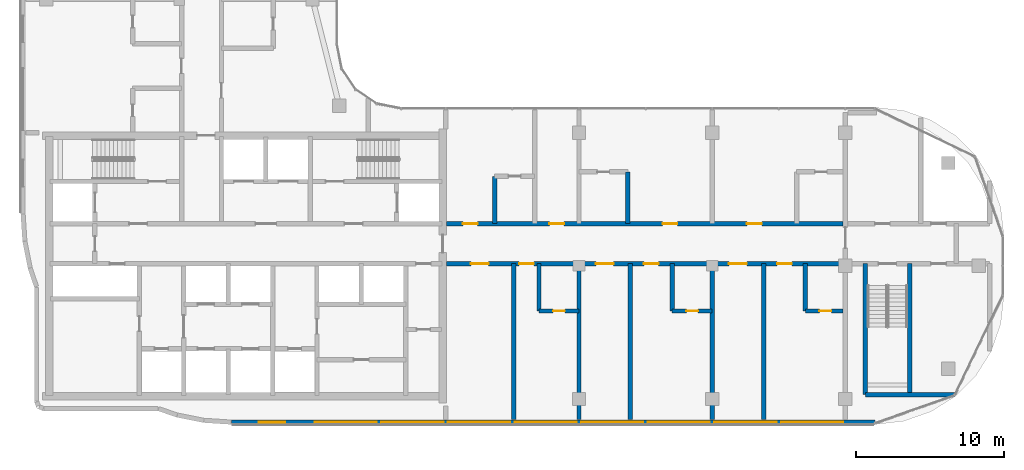
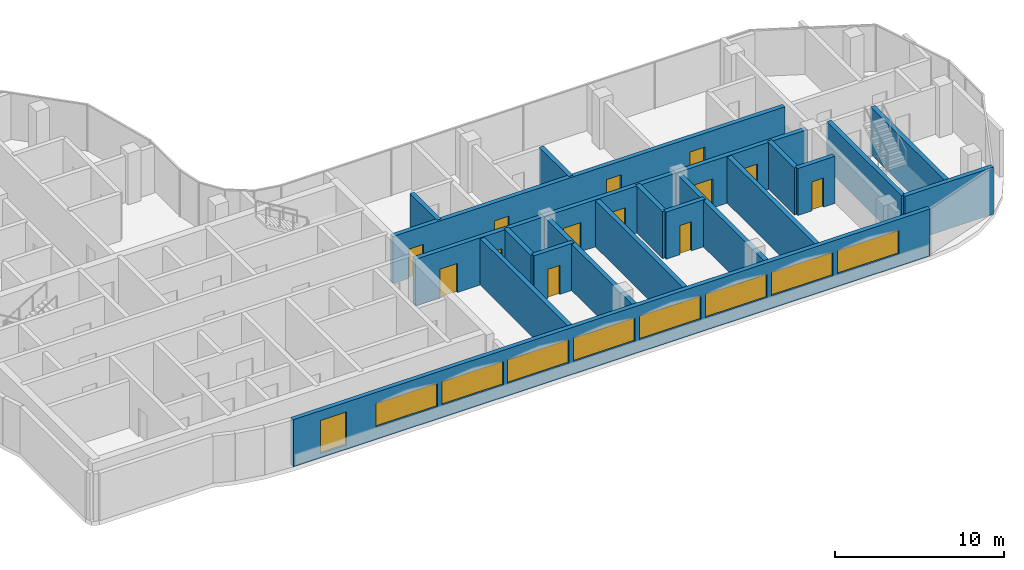
# One storey, part 11 of 19: 19 walls, 13 doors, 9 windows, 22 openings.
"""IFC4 building model written with IfcOpenShell, lengths in metres."""

from ifc_helpers import new_model, si_unit, direction, frame, frame_2d, origin, place, context, subcontext, project, spatial, rectangle, extrude, material, layer, layer_set, type_object, element, fill, save


model = new_model("IFC4")

# Units and contexts
model_context = context("Model", 3, precision=1e-05, world=origin(), true_north=direction((0.0, 1.0)))
body_context = subcontext(model_context, "Body", "Model", "MODEL_VIEW")
ifc_project = project(units=[si_unit("LENGTHUNIT", "METRE"), si_unit("AREAUNIT", "SQUARE_METRE"), si_unit("VOLUMEUNIT", "CUBIC_METRE"), si_unit("PLANEANGLEUNIT", "RADIAN"), si_unit("MASSUNIT", "GRAM", prefix="KILO")], contexts=[model_context])

# Site, building, storey
site_placement = place(None, origin())
site = spatial("IfcSite", under=ifc_project, at=site_placement, CompositionType="ELEMENT")
building_placement = place(site_placement, origin())
building = spatial("IfcBuilding", under=site, at=building_placement, Name="Ogive Portal Towers", CompositionType="ELEMENT")
storey_placement = place(building_placement, frame((0.0, 0.0, 203.199951171875)))
storey = spatial("IfcBuildingStorey", under=building, at=storey_placement, Name="L50", CompositionType="ELEMENT", Elevation=203.199951171875)

# Wall, openings, windows
ifc_material_1 = material(Name="Limestone cladding on lightweight block wall", Category="masonry")
ifc_layer_1 = layer(ifc_material_1, 0.300048828125)
ifc_layer_set_1 = layer_set([ifc_layer_1], Name="EXTERNAL WALL 300 STONE")
wall_type_1 = type_object("IfcWallType", Name="EXTERNAL WALL 300 STONE", PredefinedType="SOLIDWALL", material=ifc_layer_set_1)
wall_1_placement = place(storey_placement, frame((44.009765625, 19.93505859375, 0.0), z_axis=(0.0, 0.0, 1.0), x_axis=(1.0, 0.0, 0.0)))
wall_1 = element("IfcWall", 1, at=wall_1_placement, inside=storey, type_object=wall_type_1, Name="A:L50:f07:r0:wall", PredefinedType="SOLIDWALL", context=body_context, shape_type="SweptSolid", body=[
    extrude(rectangle(XDim=43.4765625, YDim=0.300048828125, at=frame_2d((21.73828125, 0.0))), origin(), (0.0, 0.0, 1.0), 3.400146484375),
])
opening_1_placement = place(wall_1_placement, frame((1.844970703125, 0.0, 0.300048828125)))
opening_1 = element("IfcOpeningElement", 2, at=opening_1_placement, cuts=wall_1, Name="Opening WN10", PredefinedType="OPENING", context=body_context, shape_type="SweptSolid", body=[
    extrude(rectangle(XDim=1.800048828125, YDim=2.39990234375, at=frame_2d((0.89990234375, 1.199951171875))), frame((0.0, 0.16015625, 0.0), z_axis=(0.0, -1.0, 0.0), x_axis=(1.0, 0.0, 0.0)), (0.0, 0.0, 1.0), 0.320068359375),
])
opening_2_placement = place(wall_1_placement, frame((5.64013671875, 0.0, 0.89990234375)))
opening_2 = element("IfcOpeningElement", 3, at=opening_2_placement, cuts=wall_1, Name="Opening WN13", PredefinedType="OPENING", context=body_context, shape_type="SweptSolid", body=[
    extrude(rectangle(XDim=4.199951171875, YDim=1.699951171875, at=frame_2d((2.10009765625, 0.85009765625))), frame((0.0, 0.16015625, 0.0), z_axis=(0.0, -1.0, 0.0), x_axis=(1.0, 0.0, 0.0)), (0.0, 0.0, 1.0), 0.320068359375),
])
opening_3_placement = place(wall_1_placement, frame((10.14013671875, 0.0, 0.89990234375)))
opening_3 = element("IfcOpeningElement", 4, at=opening_3_placement, cuts=wall_1, Name="Opening WN13", PredefinedType="OPENING", context=body_context, shape_type="SweptSolid", body=[
    extrude(rectangle(XDim=4.199951171875, YDim=1.699951171875, at=frame_2d((2.10009765625, 0.85009765625))), frame((0.0, 0.16015625, 0.0), z_axis=(0.0, -1.0, 0.0), x_axis=(1.0, 0.0, 0.0)), (0.0, 0.0, 1.0), 0.320068359375),
])
opening_4_placement = place(wall_1_placement, frame((14.64013671875, 0.0, 0.89990234375)))
opening_4 = element("IfcOpeningElement", 5, at=opening_4_placement, cuts=wall_1, Name="Opening WN13", PredefinedType="OPENING", context=body_context, shape_type="SweptSolid", body=[
    extrude(rectangle(XDim=4.199951171875, YDim=1.699951171875, at=frame_2d((2.10009765625, 0.85009765625))), frame((0.0, 0.16015625, 0.0), z_axis=(0.0, -1.0, 0.0), x_axis=(1.0, 0.0, 0.0)), (0.0, 0.0, 1.0), 0.320068359375),
])
opening_5_placement = place(wall_1_placement, frame((19.14013671875, 0.0, 0.89990234375)))
opening_5 = element("IfcOpeningElement", 6, at=opening_5_placement, cuts=wall_1, Name="Opening WN13", PredefinedType="OPENING", context=body_context, shape_type="SweptSolid", body=[
    extrude(rectangle(XDim=4.199951171875, YDim=1.699951171875, at=frame_2d((2.10009765625, 0.85009765625))), frame((0.0, 0.16015625, 0.0), z_axis=(0.0, -1.0, 0.0), x_axis=(1.0, 0.0, 0.0)), (0.0, 0.0, 1.0), 0.320068359375),
])
opening_6_placement = place(wall_1_placement, frame((23.64013671875, 0.0, 0.89990234375)))
opening_6 = element("IfcOpeningElement", 7, at=opening_6_placement, cuts=wall_1, Name="Opening WN13", PredefinedType="OPENING", context=body_context, shape_type="SweptSolid", body=[
    extrude(rectangle(XDim=4.199951171875, YDim=1.699951171875, at=frame_2d((2.10009765625, 0.85009765625))), frame((0.0, 0.16015625, 0.0), z_axis=(0.0, -1.0, 0.0), x_axis=(1.0, 0.0, 0.0)), (0.0, 0.0, 1.0), 0.320068359375),
])
opening_7_placement = place(wall_1_placement, frame((28.14013671875, 0.0, 0.89990234375)))
opening_7 = element("IfcOpeningElement", 8, at=opening_7_placement, cuts=wall_1, Name="Opening WN13", PredefinedType="OPENING", context=body_context, shape_type="SweptSolid", body=[
    extrude(rectangle(XDim=4.199951171875, YDim=1.699951171875, at=frame_2d((2.10009765625, 0.85009765625))), frame((0.0, 0.16015625, 0.0), z_axis=(0.0, -1.0, 0.0), x_axis=(1.0, 0.0, 0.0)), (0.0, 0.0, 1.0), 0.320068359375),
])
opening_8_placement = place(wall_1_placement, frame((32.64013671875, 0.0, 0.89990234375)))
opening_8 = element("IfcOpeningElement", 9, at=opening_8_placement, cuts=wall_1, Name="Opening WN13", PredefinedType="OPENING", context=body_context, shape_type="SweptSolid", body=[
    extrude(rectangle(XDim=4.199951171875, YDim=1.699951171875, at=frame_2d((2.10009765625, 0.85009765625))), frame((0.0, 0.16015625, 0.0), z_axis=(0.0, -1.0, 0.0), x_axis=(1.0, 0.0, 0.0)), (0.0, 0.0, 1.0), 0.320068359375),
])
opening_9_placement = place(wall_1_placement, frame((37.14013671875, 0.0, 0.89990234375)))
opening_9 = element("IfcOpeningElement", 10, at=opening_9_placement, cuts=wall_1, Name="Opening WN13", PredefinedType="OPENING", context=body_context, shape_type="SweptSolid", body=[
    extrude(rectangle(XDim=4.199951171875, YDim=1.699951171875, at=frame_2d((2.10009765625, 0.85009765625))), frame((0.0, 0.16015625, 0.0), z_axis=(0.0, -1.0, 0.0), x_axis=(1.0, 0.0, 0.0)), (0.0, 0.0, 1.0), 0.320068359375),
])
ifc_material_2 = material(Name="Glass, clear low-iron insulated glazing", Category="glass")
window_type_1 = type_object("IfcWindowType", Name="WINDOW RIBBON LANCET 4200x1700", PartitioningType="TRIPLE_PANEL_VERTICAL", PredefinedType="WINDOW", material=ifc_material_2)
window_1_placement = place(opening_2_placement, origin())
window_1 = element("IfcWindow", 11, at=window_1_placement, inside=storey, type_object=window_type_1, Name="A:L50:f07:r0:w1", OverallHeight=1.699951171875, OverallWidth=4.199951171875, PartitioningType="SINGLE_PANEL", PredefinedType="WINDOW", context=body_context, shape_type="SweptSolid", body=[
    extrude(rectangle(XDim=4.199951171875, YDim=1.699951171875, at=frame_2d((2.10009765625, 0.85009765625))), frame((0.0, 0.030029296875, 0.0), z_axis=(0.0, -1.0, 0.0), x_axis=(1.0, 0.0, 0.0)), (0.0, 0.0, 1.0), 0.06005859375),
])
fill(opening_2, window_1)
window_2_placement = place(opening_3_placement, origin())
window_2 = element("IfcWindow", 12, at=window_2_placement, inside=storey, type_object=window_type_1, Name="A:L50:f07:r0:w2", OverallHeight=1.699951171875, OverallWidth=4.199951171875, PartitioningType="SINGLE_PANEL", PredefinedType="WINDOW", context=body_context, shape_type="SweptSolid", body=[
    extrude(rectangle(XDim=4.199951171875, YDim=1.699951171875, at=frame_2d((2.10009765625, 0.85009765625))), frame((0.0, 0.030029296875, 0.0), z_axis=(0.0, -1.0, 0.0), x_axis=(1.0, 0.0, 0.0)), (0.0, 0.0, 1.0), 0.06005859375),
])
fill(opening_3, window_2)
window_3_placement = place(opening_4_placement, origin())
window_3 = element("IfcWindow", 13, at=window_3_placement, inside=storey, type_object=window_type_1, Name="A:L50:f07:r0:w3", OverallHeight=1.699951171875, OverallWidth=4.199951171875, PartitioningType="SINGLE_PANEL", PredefinedType="WINDOW", context=body_context, shape_type="SweptSolid", body=[
    extrude(rectangle(XDim=4.199951171875, YDim=1.699951171875, at=frame_2d((2.10009765625, 0.85009765625))), frame((0.0, 0.030029296875, 0.0), z_axis=(0.0, -1.0, 0.0), x_axis=(1.0, 0.0, 0.0)), (0.0, 0.0, 1.0), 0.06005859375),
])
fill(opening_4, window_3)
window_4_placement = place(opening_5_placement, origin())
window_4 = element("IfcWindow", 14, at=window_4_placement, inside=storey, type_object=window_type_1, Name="A:L50:f07:r0:w4", OverallHeight=1.699951171875, OverallWidth=4.199951171875, PartitioningType="SINGLE_PANEL", PredefinedType="WINDOW", context=body_context, shape_type="SweptSolid", body=[
    extrude(rectangle(XDim=4.199951171875, YDim=1.699951171875, at=frame_2d((2.10009765625, 0.85009765625))), frame((0.0, 0.030029296875, 0.0), z_axis=(0.0, -1.0, 0.0), x_axis=(1.0, 0.0, 0.0)), (0.0, 0.0, 1.0), 0.06005859375),
])
fill(opening_5, window_4)
window_5_placement = place(opening_6_placement, origin())
window_5 = element("IfcWindow", 15, at=window_5_placement, inside=storey, type_object=window_type_1, Name="A:L50:f07:r0:w5", OverallHeight=1.699951171875, OverallWidth=4.199951171875, PartitioningType="SINGLE_PANEL", PredefinedType="WINDOW", context=body_context, shape_type="SweptSolid", body=[
    extrude(rectangle(XDim=4.199951171875, YDim=1.699951171875, at=frame_2d((2.10009765625, 0.85009765625))), frame((0.0, 0.030029296875, 0.0), z_axis=(0.0, -1.0, 0.0), x_axis=(1.0, 0.0, 0.0)), (0.0, 0.0, 1.0), 0.06005859375),
])
fill(opening_6, window_5)
window_6_placement = place(opening_7_placement, origin())
window_6 = element("IfcWindow", 16, at=window_6_placement, inside=storey, type_object=window_type_1, Name="A:L50:f07:r0:w6", OverallHeight=1.699951171875, OverallWidth=4.199951171875, PartitioningType="SINGLE_PANEL", PredefinedType="WINDOW", context=body_context, shape_type="SweptSolid", body=[
    extrude(rectangle(XDim=4.199951171875, YDim=1.699951171875, at=frame_2d((2.10009765625, 0.85009765625))), frame((0.0, 0.030029296875, 0.0), z_axis=(0.0, -1.0, 0.0), x_axis=(1.0, 0.0, 0.0)), (0.0, 0.0, 1.0), 0.06005859375),
])
fill(opening_7, window_6)
window_7_placement = place(opening_8_placement, origin())
window_7 = element("IfcWindow", 17, at=window_7_placement, inside=storey, type_object=window_type_1, Name="A:L50:f07:r0:w7", OverallHeight=1.699951171875, OverallWidth=4.199951171875, PartitioningType="SINGLE_PANEL", PredefinedType="WINDOW", context=body_context, shape_type="SweptSolid", body=[
    extrude(rectangle(XDim=4.199951171875, YDim=1.699951171875, at=frame_2d((2.10009765625, 0.85009765625))), frame((0.0, 0.030029296875, 0.0), z_axis=(0.0, -1.0, 0.0), x_axis=(1.0, 0.0, 0.0)), (0.0, 0.0, 1.0), 0.06005859375),
])
fill(opening_8, window_7)
window_8_placement = place(opening_9_placement, origin())
window_8 = element("IfcWindow", 18, at=window_8_placement, inside=storey, type_object=window_type_1, Name="A:L50:f07:r0:w8", OverallHeight=1.699951171875, OverallWidth=4.199951171875, PartitioningType="SINGLE_PANEL", PredefinedType="WINDOW", context=body_context, shape_type="SweptSolid", body=[
    extrude(rectangle(XDim=4.199951171875, YDim=1.699951171875, at=frame_2d((2.10009765625, 0.85009765625))), frame((0.0, 0.030029296875, 0.0), z_axis=(0.0, -1.0, 0.0), x_axis=(1.0, 0.0, 0.0)), (0.0, 0.0, 1.0), 0.06005859375),
])
fill(opening_9, window_8)
window_type_2 = type_object("IfcWindowType", Name="WINDOW SUITE CORNER 1800x2400", PartitioningType="DOUBLE_PANEL_VERTICAL", PredefinedType="WINDOW", material=ifc_material_2)
window_9_placement = place(opening_1_placement, origin())
window_9 = element("IfcWindow", 19, at=window_9_placement, inside=storey, type_object=window_type_2, Name="A:L50:f07:r0:w0", OverallHeight=2.39990234375, OverallWidth=1.800048828125, PartitioningType="SINGLE_PANEL", PredefinedType="WINDOW", context=body_context, shape_type="SweptSolid", body=[
    extrude(rectangle(XDim=1.800048828125, YDim=2.39990234375, at=frame_2d((0.89990234375, 1.199951171875))), frame((0.0, 0.030029296875, 0.0), z_axis=(0.0, -1.0, 0.0), x_axis=(1.0, 0.0, 0.0)), (0.0, 0.0, 1.0), 0.06005859375),
])
fill(opening_1, window_9)

# Walls
ifc_material_3 = material(Name="Concrete C50/60", Category="concrete")
ifc_layer_2 = layer(ifc_material_3, 0.300048828125)
ifc_layer_set_2 = layer_set([ifc_layer_2], Name="STAIR WALL 300 C50")
wall_type_2 = type_object("IfcWallType", Name="STAIR WALL 300 C50", PredefinedType="SHEAR", material=ifc_layer_set_2)
wall_2_placement = place(storey_placement, frame((86.85009765625, 21.800048828125, 0.0), z_axis=(0.0, 0.0, 1.0), x_axis=(1.0, 0.0, 0.0)))
element("IfcWall", 20, at=wall_2_placement, inside=storey, type_object=wall_type_2, Name="Stair wall ST-A4 L50", PredefinedType="SHEAR", context=body_context, shape_type="SweptSolid", body=[
    extrude(rectangle(XDim=6.0458984375, YDim=0.300048828125, at=frame_2d((3.02294921875, 0.0))), origin(), (0.0, 0.0, 1.0), 3.400146484375),
])
for number, where, z_axis, x_axis, name in (
    (21, (86.85009765625, 21.800048828125, 0.0), (0.0, 0.0, 1.0), (0.0, 1.0, 0.0), "Stair wall ST-A4 L50"),
    (22, (89.85009765625, 21.800048828125, 0.0), (0.0, 0.0, 1.0), (0.0, 1.0, 0.0), "Stair wall ST-A4 L50"),
):
    element("IfcWall", number, at=place(storey_placement, frame(where, z_axis=z_axis, x_axis=x_axis)), inside=storey, type_object=wall_type_2, Name=name, PredefinedType="SHEAR", context=body_context, shape_type="SweptSolid", body=[
        extrude(rectangle(XDim=8.849853515625, YDim=0.300048828125, at=frame_2d((4.4248046875, 0.0))), origin(), (0.0, 0.0, 1.0), 3.400146484375),
    ])

# Wall, openings, doors
ifc_material_4 = material(Name="Gypsum board partition on steel studs", Category="steel")
ifc_layer_3 = layer(ifc_material_4, 0.300048828125)
ifc_layer_set_3 = layer_set([ifc_layer_3], Name="WT-PART-300-EI 120")
wall_type_3 = type_object("IfcWallType", Name="WT-PART-300-EI 120", PredefinedType="PARTITIONING", material=ifc_layer_set_3)
wall_3_placement = place(storey_placement, frame((58.550048828125, 30.64990234375, 0.0), z_axis=(0.0, 0.0, 1.0), x_axis=(1.0, 0.0, 0.0)))
wall_3 = element("IfcWall", 23, at=wall_3_placement, inside=storey, type_object=wall_type_3, Name="Wall L50:w005", PredefinedType="PARTITIONING", context=body_context, shape_type="SweptSolid", body=[
    extrude(rectangle(XDim=26.780029296875, YDim=0.300048828125, at=frame_2d((13.39013671875, 0.0))), origin(), (0.0, 0.0, 1.0), 3.400146484375),
])
opening_10_placement = place(wall_3_placement, frame((1.64990234375, 0.0, 0.0)))
opening_10 = element("IfcOpeningElement", 24, at=opening_10_placement, cuts=wall_3, Name="Opening D22-029", PredefinedType="OPENING", context=body_context, shape_type="SweptSolid", body=[
    extrude(rectangle(XDim=1.199951171875, YDim=2.10009765625, at=frame_2d((0.60009765625, 1.050048828125))), frame((0.0, 0.16015625, 0.0), z_axis=(0.0, -1.0, 0.0), x_axis=(1.0, 0.0, 0.0)), (0.0, 0.0, 1.0), 0.320068359375),
])
opening_11_placement = place(wall_3_placement, frame((4.89990234375, 0.0, 0.0)))
opening_11 = element("IfcOpeningElement", 25, at=opening_11_placement, cuts=wall_3, Name="Opening D22-031", PredefinedType="OPENING", context=body_context, shape_type="SweptSolid", body=[
    extrude(rectangle(XDim=1.0, YDim=2.10009765625, at=frame_2d((0.5, 1.050048828125))), frame((0.0, 0.16015625, 0.0), z_axis=(0.0, -1.0, 0.0), x_axis=(1.0, 0.0, 0.0)), (0.0, 0.0, 1.0), 0.320068359375),
])
opening_12_placement = place(wall_3_placement, frame((10.0849609375, 0.0, 0.0)))
opening_12 = element("IfcOpeningElement", 26, at=opening_12_placement, cuts=wall_3, Name="Opening D22-034", PredefinedType="OPENING", context=body_context, shape_type="SweptSolid", body=[
    extrude(rectangle(XDim=1.199951171875, YDim=2.10009765625, at=frame_2d((0.60009765625, 1.050048828125))), frame((0.0, 0.16015625, 0.0), z_axis=(0.0, -1.0, 0.0), x_axis=(1.0, 0.0, 0.0)), (0.0, 0.0, 1.0), 0.320068359375),
])
opening_13_placement = place(wall_3_placement, frame((13.3349609375, 0.0, 0.0)))
opening_13 = element("IfcOpeningElement", 27, at=opening_13_placement, cuts=wall_3, Name="Opening D22-036", PredefinedType="OPENING", context=body_context, shape_type="SweptSolid", body=[
    extrude(rectangle(XDim=1.0, YDim=2.10009765625, at=frame_2d((0.5, 1.050048828125))), frame((0.0, 0.16015625, 0.0), z_axis=(0.0, -1.0, 0.0), x_axis=(1.0, 0.0, 0.0)), (0.0, 0.0, 1.0), 0.320068359375),
])
opening_14_placement = place(wall_3_placement, frame((19.0849609375, 0.0, 0.0)))
opening_14 = element("IfcOpeningElement", 28, at=opening_14_placement, cuts=wall_3, Name="Opening D22-039", PredefinedType="OPENING", context=body_context, shape_type="SweptSolid", body=[
    extrude(rectangle(XDim=1.199951171875, YDim=2.10009765625, at=frame_2d((0.60009765625, 1.050048828125))), frame((0.0, 0.16015625, 0.0), z_axis=(0.0, -1.0, 0.0), x_axis=(1.0, 0.0, 0.0)), (0.0, 0.0, 1.0), 0.320068359375),
])
opening_15_placement = place(wall_3_placement, frame((22.3349609375, 0.0, 0.0)))
opening_15 = element("IfcOpeningElement", 29, at=opening_15_placement, cuts=wall_3, Name="Opening D22-041", PredefinedType="OPENING", context=body_context, shape_type="SweptSolid", body=[
    extrude(rectangle(XDim=1.0, YDim=2.10009765625, at=frame_2d((0.5, 1.050048828125))), frame((0.0, 0.16015625, 0.0), z_axis=(0.0, -1.0, 0.0), x_axis=(1.0, 0.0, 0.0)), (0.0, 0.0, 1.0), 0.320068359375),
])
ifc_material_5 = material(Name="Steel fire door", Category="steel")
door_type_1 = type_object("IfcDoorType", Name="DT-ENTRY-1000x2100-FD90S", OperationType="SINGLE_SWING_LEFT", PredefinedType="DOOR", material=ifc_material_5)
door_1_placement = place(opening_11_placement, origin())
door_1 = element("IfcDoor", 30, at=door_1_placement, inside=storey, type_object=door_type_1, Name="Door D22-031", OperationType="SINGLE_SWING_LEFT", OverallHeight=2.10009765625, OverallWidth=1.0, PredefinedType="DOOR", context=body_context, shape_type="SweptSolid", body=[
    extrude(rectangle(XDim=1.0, YDim=2.10009765625, at=frame_2d((0.5, 1.050048828125))), frame((0.0, 0.02490234375, 0.0), z_axis=(0.0, -1.0, 0.0), x_axis=(1.0, 0.0, 0.0)), (0.0, 0.0, 1.0), 0.050048828125),
])
fill(opening_11, door_1)
door_2_placement = place(opening_13_placement, origin())
door_2 = element("IfcDoor", 31, at=door_2_placement, inside=storey, type_object=door_type_1, Name="Door D22-036", OperationType="SINGLE_SWING_LEFT", OverallHeight=2.10009765625, OverallWidth=1.0, PredefinedType="DOOR", context=body_context, shape_type="SweptSolid", body=[
    extrude(rectangle(XDim=1.0, YDim=2.10009765625, at=frame_2d((0.5, 1.050048828125))), frame((0.0, 0.02490234375, 0.0), z_axis=(0.0, -1.0, 0.0), x_axis=(1.0, 0.0, 0.0)), (0.0, 0.0, 1.0), 0.050048828125),
])
fill(opening_13, door_2)
door_3_placement = place(opening_15_placement, origin())
door_3 = element("IfcDoor", 32, at=door_3_placement, inside=storey, type_object=door_type_1, Name="Door D22-041", OperationType="SINGLE_SWING_RIGHT", OverallHeight=2.10009765625, OverallWidth=1.0, PredefinedType="DOOR", context=body_context, shape_type="SweptSolid", body=[
    extrude(rectangle(XDim=1.0, YDim=2.10009765625, at=frame_2d((0.5, 1.050048828125))), frame((0.0, 0.02490234375, 0.0), z_axis=(0.0, -1.0, 0.0), x_axis=(1.0, 0.0, 0.0)), (0.0, 0.0, 1.0), 0.050048828125),
])
fill(opening_15, door_3)
door_type_2 = type_object("IfcDoorType", Name="DT-ENTRY-1200x2100-FD90S", OperationType="SINGLE_SWING_LEFT", PredefinedType="DOOR", material=ifc_material_5)
door_4_placement = place(opening_10_placement, origin())
door_4 = element("IfcDoor", 33, at=door_4_placement, inside=storey, type_object=door_type_2, Name="Door D22-029", OperationType="SINGLE_SWING_LEFT", OverallHeight=2.10009765625, OverallWidth=1.199951171875, PredefinedType="DOOR", context=body_context, shape_type="SweptSolid", body=[
    extrude(rectangle(XDim=1.199951171875, YDim=2.10009765625, at=frame_2d((0.60009765625, 1.050048828125))), frame((0.0, 0.02490234375, 0.0), z_axis=(0.0, -1.0, 0.0), x_axis=(1.0, 0.0, 0.0)), (0.0, 0.0, 1.0), 0.050048828125),
])
fill(opening_10, door_4)
door_5_placement = place(opening_12_placement, origin())
door_5 = element("IfcDoor", 34, at=door_5_placement, inside=storey, type_object=door_type_2, Name="Door D22-034", OperationType="SINGLE_SWING_RIGHT", OverallHeight=2.10009765625, OverallWidth=1.199951171875, PredefinedType="DOOR", context=body_context, shape_type="SweptSolid", body=[
    extrude(rectangle(XDim=1.199951171875, YDim=2.10009765625, at=frame_2d((0.60009765625, 1.050048828125))), frame((0.0, 0.02490234375, 0.0), z_axis=(0.0, -1.0, 0.0), x_axis=(1.0, 0.0, 0.0)), (0.0, 0.0, 1.0), 0.050048828125),
])
fill(opening_12, door_5)
door_6_placement = place(opening_14_placement, origin())
door_6 = element("IfcDoor", 35, at=door_6_placement, inside=storey, type_object=door_type_2, Name="Door D22-039", OperationType="SINGLE_SWING_LEFT", OverallHeight=2.10009765625, OverallWidth=1.199951171875, PredefinedType="DOOR", context=body_context, shape_type="SweptSolid", body=[
    extrude(rectangle(XDim=1.199951171875, YDim=2.10009765625, at=frame_2d((0.60009765625, 1.050048828125))), frame((0.0, 0.02490234375, 0.0), z_axis=(0.0, -1.0, 0.0), x_axis=(1.0, 0.0, 0.0)), (0.0, 0.0, 1.0), 0.050048828125),
])
fill(opening_14, door_6)

wall_4_placement = place(storey_placement, frame((58.550048828125, 33.35009765625, 0.0), z_axis=(0.0, 0.0, 1.0), x_axis=(1.0, 0.0, 0.0)))
wall_4 = element("IfcWall", 36, at=wall_4_placement, inside=storey, type_object=wall_type_3, Name="Wall L50:w007", PredefinedType="PARTITIONING", context=body_context, shape_type="SweptSolid", body=[
    extrude(rectangle(XDim=26.780029296875, YDim=0.300048828125, at=frame_2d((13.39013671875, 0.0))), origin(), (0.0, 0.0, 1.0), 3.400146484375),
])
opening_16_placement = place(wall_4_placement, frame((1.10009765625, 0.0, 0.0)))
opening_16 = element("IfcOpeningElement", 37, at=opening_16_placement, cuts=wall_4, Name="Opening D22-027", PredefinedType="OPENING", context=body_context, shape_type="SweptSolid", body=[
    extrude(rectangle(XDim=1.0, YDim=2.10009765625, at=frame_2d((0.5, 1.050048828125))), frame((0.0, 0.16015625, 0.0), z_axis=(0.0, -1.0, 0.0), x_axis=(1.0, 0.0, 0.0)), (0.0, 0.0, 1.0), 0.320068359375),
])
opening_17_placement = place(wall_4_placement, frame((6.949951171875, 0.0, 0.0)))
opening_17 = element("IfcOpeningElement", 38, at=opening_17_placement, cuts=wall_4, Name="Opening D22-028", PredefinedType="OPENING", context=body_context, shape_type="SweptSolid", body=[
    extrude(rectangle(XDim=1.0, YDim=2.10009765625, at=frame_2d((0.5, 1.050048828125))), frame((0.0, 0.16015625, 0.0), z_axis=(0.0, -1.0, 0.0), x_axis=(1.0, 0.0, 0.0)), (0.0, 0.0, 1.0), 0.320068359375),
])
opening_18_placement = place(wall_4_placement, frame((14.60009765625, 0.0, 0.0)))
opening_18 = element("IfcOpeningElement", 39, at=opening_18_placement, cuts=wall_4, Name="Opening D22-033", PredefinedType="OPENING", context=body_context, shape_type="SweptSolid", body=[
    extrude(rectangle(XDim=1.0, YDim=2.39990234375, at=frame_2d((0.5, 1.199951171875))), frame((0.0, 0.16015625, 0.0), z_axis=(0.0, -1.0, 0.0), x_axis=(1.0, 0.0, 0.0)), (0.0, 0.0, 1.0), 0.320068359375),
])
opening_19_placement = place(wall_4_placement, frame((20.300048828125, 0.0, 0.0)))
opening_19 = element("IfcOpeningElement", 40, at=opening_19_placement, cuts=wall_4, Name="Opening D22-038", PredefinedType="OPENING", context=body_context, shape_type="SweptSolid", body=[
    extrude(rectangle(XDim=1.0, YDim=2.39990234375, at=frame_2d((0.5, 1.199951171875))), frame((0.0, 0.16015625, 0.0), z_axis=(0.0, -1.0, 0.0), x_axis=(1.0, 0.0, 0.0)), (0.0, 0.0, 1.0), 0.320068359375),
])
door_7_placement = place(opening_16_placement, origin())
door_7 = element("IfcDoor", 41, at=door_7_placement, inside=storey, type_object=door_type_1, Name="Door D22-027", OperationType="SINGLE_SWING_LEFT", OverallHeight=2.10009765625, OverallWidth=1.0, PredefinedType="DOOR", context=body_context, shape_type="SweptSolid", body=[
    extrude(rectangle(XDim=1.0, YDim=2.10009765625, at=frame_2d((0.5, 1.050048828125))), frame((0.0, 0.02490234375, 0.0), z_axis=(0.0, -1.0, 0.0), x_axis=(1.0, 0.0, 0.0)), (0.0, 0.0, 1.0), 0.050048828125),
])
fill(opening_16, door_7)
door_8_placement = place(opening_17_placement, origin())
door_8 = element("IfcDoor", 42, at=door_8_placement, inside=storey, type_object=door_type_1, Name="Door D22-028", OperationType="SINGLE_SWING_RIGHT", OverallHeight=2.10009765625, OverallWidth=1.0, PredefinedType="DOOR", context=body_context, shape_type="SweptSolid", body=[
    extrude(rectangle(XDim=1.0, YDim=2.10009765625, at=frame_2d((0.5, 1.050048828125))), frame((0.0, 0.02490234375, 0.0), z_axis=(0.0, -1.0, 0.0), x_axis=(1.0, 0.0, 0.0)), (0.0, 0.0, 1.0), 0.050048828125),
])
fill(opening_17, door_8)
door_type_3 = type_object("IfcDoorType", Name="DT-ENTRY-1000x2400-FD90S", OperationType="SINGLE_SWING_LEFT", PredefinedType="DOOR", material=ifc_material_5)
door_9_placement = place(opening_18_placement, origin())
door_9 = element("IfcDoor", 43, at=door_9_placement, inside=storey, type_object=door_type_3, Name="Door D22-033", OperationType="SINGLE_SWING_LEFT", OverallHeight=2.39990234375, OverallWidth=1.0, PredefinedType="DOOR", context=body_context, shape_type="SweptSolid", body=[
    extrude(rectangle(XDim=1.0, YDim=2.39990234375, at=frame_2d((0.5, 1.199951171875))), frame((0.0, 0.02490234375, 0.0), z_axis=(0.0, -1.0, 0.0), x_axis=(1.0, 0.0, 0.0)), (0.0, 0.0, 1.0), 0.050048828125),
])
fill(opening_18, door_9)
door_10_placement = place(opening_19_placement, origin())
door_10 = element("IfcDoor", 44, at=door_10_placement, inside=storey, type_object=door_type_3, Name="Door D22-038", OperationType="SINGLE_SWING_RIGHT", OverallHeight=2.39990234375, OverallWidth=1.0, PredefinedType="DOOR", context=body_context, shape_type="SweptSolid", body=[
    extrude(rectangle(XDim=1.0, YDim=2.39990234375, at=frame_2d((0.5, 1.199951171875))), frame((0.0, 0.02490234375, 0.0), z_axis=(0.0, -1.0, 0.0), x_axis=(1.0, 0.0, 0.0)), (0.0, 0.0, 1.0), 0.050048828125),
])
fill(opening_19, door_10)

# Wall, opening, door
ifc_layer_4 = layer(ifc_material_4, 0.300048828125)
ifc_layer_set_4 = layer_set([ifc_layer_4], Name="WT-PART-300-EI 60")
wall_type_4 = type_object("IfcWallType", Name="WT-PART-300-EI 60", PredefinedType="PARTITIONING", material=ifc_layer_set_4)
wall_5_placement = place(storey_placement, frame((64.800048828125, 27.449951171875, 0.0), z_axis=(0.0, 0.0, 1.0), x_axis=(1.0, 0.0, 0.0)))
wall_5 = element("IfcWall", 45, at=wall_5_placement, inside=storey, type_object=wall_type_4, Name="Wall L50:w002", PredefinedType="PARTITIONING", context=body_context, shape_type="SweptSolid", body=[
    extrude(rectangle(XDim=2.699951171875, YDim=0.300048828125, at=frame_2d((1.35009765625, 0.0))), origin(), (0.0, 0.0, 1.0), 3.400146484375),
])
opening_20_placement = place(wall_5_placement, frame((0.949951171875, 0.0, 0.0)))
opening_20 = element("IfcOpeningElement", 46, at=opening_20_placement, cuts=wall_5, Name="Opening D22-030", PredefinedType="OPENING", context=body_context, shape_type="SweptSolid", body=[
    extrude(rectangle(XDim=0.800048828125, YDim=2.10009765625, at=frame_2d((0.39990234375, 1.050048828125))), frame((0.0, 0.16015625, 0.0), z_axis=(0.0, -1.0, 0.0), x_axis=(1.0, 0.0, 0.0)), (0.0, 0.0, 1.0), 0.320068359375),
])
door_type_4 = type_object("IfcDoorType", Name="DT-BATH-800x2100-FD60S", OperationType="SINGLE_SWING_LEFT", PredefinedType="DOOR", material=ifc_material_5)
door_11_placement = place(opening_20_placement, origin())
door_11 = element("IfcDoor", 47, at=door_11_placement, inside=storey, type_object=door_type_4, Name="Door D22-030", OperationType="SINGLE_SWING_RIGHT", OverallHeight=2.10009765625, OverallWidth=0.800048828125, PredefinedType="DOOR", context=body_context, shape_type="SweptSolid", body=[
    extrude(rectangle(XDim=0.800048828125, YDim=2.10009765625, at=frame_2d((0.39990234375, 1.050048828125))), frame((0.0, 0.02490234375, 0.0), z_axis=(0.0, -1.0, 0.0), x_axis=(1.0, 0.0, 0.0)), (0.0, 0.0, 1.0), 0.050048828125),
])
fill(opening_20, door_11)

wall_6_placement = place(storey_placement, frame((73.800048828125, 27.449951171875, 0.0), z_axis=(0.0, 0.0, 1.0), x_axis=(1.0, 0.0, 0.0)))
wall_6 = element("IfcWall", 48, at=wall_6_placement, inside=storey, type_object=wall_type_4, Name="Wall L50:w003", PredefinedType="PARTITIONING", context=body_context, shape_type="SweptSolid", body=[
    extrude(rectangle(XDim=2.699951171875, YDim=0.300048828125, at=frame_2d((1.35009765625, 0.0))), origin(), (0.0, 0.0, 1.0), 3.400146484375),
])
opening_21_placement = place(wall_6_placement, frame((0.949951171875, 0.0, 0.0)))
opening_21 = element("IfcOpeningElement", 49, at=opening_21_placement, cuts=wall_6, Name="Opening D22-035", PredefinedType="OPENING", context=body_context, shape_type="SweptSolid", body=[
    extrude(rectangle(XDim=0.800048828125, YDim=2.10009765625, at=frame_2d((0.39990234375, 1.050048828125))), frame((0.0, 0.16015625, 0.0), z_axis=(0.0, -1.0, 0.0), x_axis=(1.0, 0.0, 0.0)), (0.0, 0.0, 1.0), 0.320068359375),
])
door_12_placement = place(opening_21_placement, origin())
door_12 = element("IfcDoor", 50, at=door_12_placement, inside=storey, type_object=door_type_4, Name="Door D22-035", OperationType="SINGLE_SWING_LEFT", OverallHeight=2.10009765625, OverallWidth=0.800048828125, PredefinedType="DOOR", context=body_context, shape_type="SweptSolid", body=[
    extrude(rectangle(XDim=0.800048828125, YDim=2.10009765625, at=frame_2d((0.39990234375, 1.050048828125))), frame((0.0, 0.02490234375, 0.0), z_axis=(0.0, -1.0, 0.0), x_axis=(1.0, 0.0, 0.0)), (0.0, 0.0, 1.0), 0.050048828125),
])
fill(opening_21, door_12)

wall_7_placement = place(storey_placement, frame((82.800048828125, 27.449951171875, 0.0), z_axis=(0.0, 0.0, 1.0), x_axis=(1.0, 0.0, 0.0)))
wall_7 = element("IfcWall", 51, at=wall_7_placement, inside=storey, type_object=wall_type_4, Name="Wall L50:w004", PredefinedType="PARTITIONING", context=body_context, shape_type="SweptSolid", body=[
    extrude(rectangle(XDim=2.530029296875, YDim=0.300048828125, at=frame_2d((1.26513671875, 0.0))), origin(), (0.0, 0.0, 1.0), 3.400146484375),
])
opening_22_placement = place(wall_7_placement, frame((0.949951171875, 0.0, 0.0)))
opening_22 = element("IfcOpeningElement", 52, at=opening_22_placement, cuts=wall_7, Name="Opening D22-040", PredefinedType="OPENING", context=body_context, shape_type="SweptSolid", body=[
    extrude(rectangle(XDim=0.800048828125, YDim=2.10009765625, at=frame_2d((0.39990234375, 1.050048828125))), frame((0.0, 0.16015625, 0.0), z_axis=(0.0, -1.0, 0.0), x_axis=(1.0, 0.0, 0.0)), (0.0, 0.0, 1.0), 0.320068359375),
])
door_13_placement = place(opening_22_placement, origin())
door_13 = element("IfcDoor", 53, at=door_13_placement, inside=storey, type_object=door_type_4, Name="Door D22-040", OperationType="SINGLE_SWING_LEFT", OverallHeight=2.10009765625, OverallWidth=0.800048828125, PredefinedType="DOOR", context=body_context, shape_type="SweptSolid", body=[
    extrude(rectangle(XDim=0.800048828125, YDim=2.10009765625, at=frame_2d((0.39990234375, 1.050048828125))), frame((0.0, 0.02490234375, 0.0), z_axis=(0.0, -1.0, 0.0), x_axis=(1.0, 0.0, 0.0)), (0.0, 0.0, 1.0), 0.050048828125),
])
fill(opening_22, door_13)

# Walls
wall_8_placement = place(storey_placement, frame((61.800048828125, 33.35009765625, 0.0), z_axis=(0.0, 0.0, 1.0), x_axis=(0.0, 1.0, 0.0)))
element("IfcWall", 54, at=wall_8_placement, inside=storey, type_object=wall_type_4, Name="Wall L50:w036", PredefinedType="PARTITIONING", context=body_context, shape_type="SweptSolid", body=[
    extrude(rectangle(XDim=3.199951171875, YDim=0.300048828125, at=frame_2d((1.60009765625, 0.0))), origin(), (0.0, 0.0, 1.0), 3.400146484375),
])
wall_9_placement = place(storey_placement, frame((63.10009765625, 20.135009765625, 0.0), z_axis=(0.0, 0.0, 1.0), x_axis=(0.0, 1.0, 0.0)))
element("IfcWall", 55, at=wall_9_placement, inside=storey, type_object=wall_type_4, Name="Wall L50:w037", PredefinedType="PARTITIONING", context=body_context, shape_type="SweptSolid", body=[
    extrude(rectangle(XDim=10.514892578125, YDim=0.300048828125, at=frame_2d((5.25732421875, 0.0))), origin(), (0.0, 0.0, 1.0), 3.35009765625),
])
wall_10_placement = place(storey_placement, frame((64.800048828125, 27.449951171875, 0.0), z_axis=(0.0, 0.0, 1.0), x_axis=(0.0, 1.0, 0.0)))
element("IfcWall", 56, at=wall_10_placement, inside=storey, type_object=wall_type_4, Name="Wall L50:w039", PredefinedType="PARTITIONING", context=body_context, shape_type="SweptSolid", body=[
    extrude(rectangle(XDim=3.199951171875, YDim=0.300048828125, at=frame_2d((1.60009765625, 0.0))), origin(), (0.0, 0.0, 1.0), 3.400146484375),
])
wall_11_placement = place(storey_placement, frame((67.5, 20.135009765625, 0.0), z_axis=(0.0, 0.0, 1.0), x_axis=(0.0, 1.0, 0.0)))
element("IfcWall", 57, at=wall_11_placement, inside=storey, type_object=wall_type_4, Name="Wall L50:w040", PredefinedType="PARTITIONING", context=body_context, shape_type="SweptSolid", body=[
    extrude(rectangle(XDim=10.514892578125, YDim=0.300048828125, at=frame_2d((5.25732421875, 0.0))), origin(), (0.0, 0.0, 1.0), 3.35009765625),
])
wall_12_placement = place(storey_placement, frame((70.800048828125, 33.35009765625, 0.0), z_axis=(0.0, 0.0, 1.0), x_axis=(0.0, 1.0, 0.0)))
element("IfcWall", 58, at=wall_12_placement, inside=storey, type_object=wall_type_4, Name="Wall L50:w042", PredefinedType="PARTITIONING", context=body_context, shape_type="SweptSolid", body=[
    extrude(rectangle(XDim=3.5, YDim=0.300048828125, at=frame_2d((1.75, 0.0))), origin(), (0.0, 0.0, 1.0), 3.400146484375),
])
wall_13_placement = place(storey_placement, frame((70.969970703125, 20.135009765625, 0.0), z_axis=(0.0, 0.0, 1.0), x_axis=(0.0, 1.0, 0.0)))
element("IfcWall", 59, at=wall_13_placement, inside=storey, type_object=wall_type_4, Name="Wall L50:w043", PredefinedType="PARTITIONING", context=body_context, shape_type="SweptSolid", body=[
    extrude(rectangle(XDim=10.514892578125, YDim=0.300048828125, at=frame_2d((5.25732421875, 0.0))), origin(), (0.0, 0.0, 1.0), 3.35009765625),
])
wall_14_placement = place(storey_placement, frame((73.800048828125, 27.449951171875, 0.0), z_axis=(0.0, 0.0, 1.0), x_axis=(0.0, 1.0, 0.0)))
element("IfcWall", 60, at=wall_14_placement, inside=storey, type_object=wall_type_4, Name="Wall L50:w044", PredefinedType="PARTITIONING", context=body_context, shape_type="SweptSolid", body=[
    extrude(rectangle(XDim=3.199951171875, YDim=0.300048828125, at=frame_2d((1.60009765625, 0.0))), origin(), (0.0, 0.0, 1.0), 3.400146484375),
])
for number, where, z_axis, x_axis, name in (
    (61, (76.5, 20.135009765625, 0.0), (0.0, 0.0, 1.0), (0.0, 1.0, 0.0), "Wall L50:w045"),
    (62, (79.969970703125, 20.135009765625, 0.0), (0.0, 0.0, 1.0), (0.0, 1.0, 0.0), "Wall L50:w047"),
):
    element("IfcWall", number, at=place(storey_placement, frame(where, z_axis=z_axis, x_axis=x_axis)), inside=storey, type_object=wall_type_4, Name=name, PredefinedType="PARTITIONING", context=body_context, shape_type="SweptSolid", body=[
        extrude(rectangle(XDim=10.514892578125, YDim=0.300048828125, at=frame_2d((5.25732421875, 0.0))), origin(), (0.0, 0.0, 1.0), 3.35009765625),
    ])
wall_15_placement = place(storey_placement, frame((82.800048828125, 27.449951171875, 0.0), z_axis=(0.0, 0.0, 1.0), x_axis=(0.0, 1.0, 0.0)))
element("IfcWall", 63, at=wall_15_placement, inside=storey, type_object=wall_type_4, Name="Wall L50:w049", PredefinedType="PARTITIONING", context=body_context, shape_type="SweptSolid", body=[
    extrude(rectangle(XDim=3.199951171875, YDim=0.300048828125, at=frame_2d((1.60009765625, 0.0))), origin(), (0.0, 0.0, 1.0), 3.400146484375),
])

save(model, "model.ifc")
